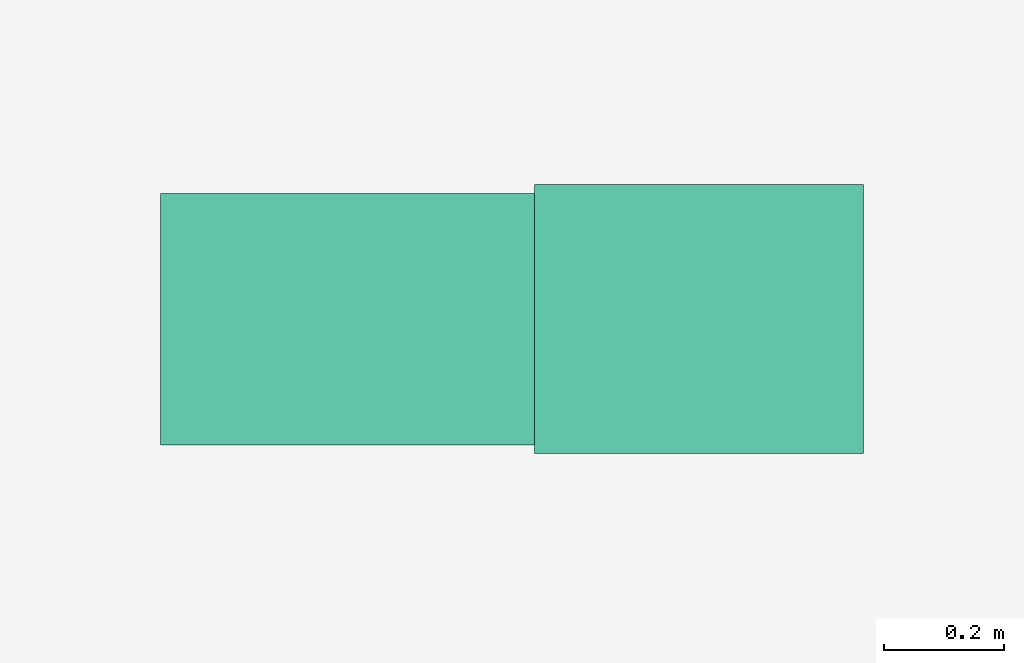
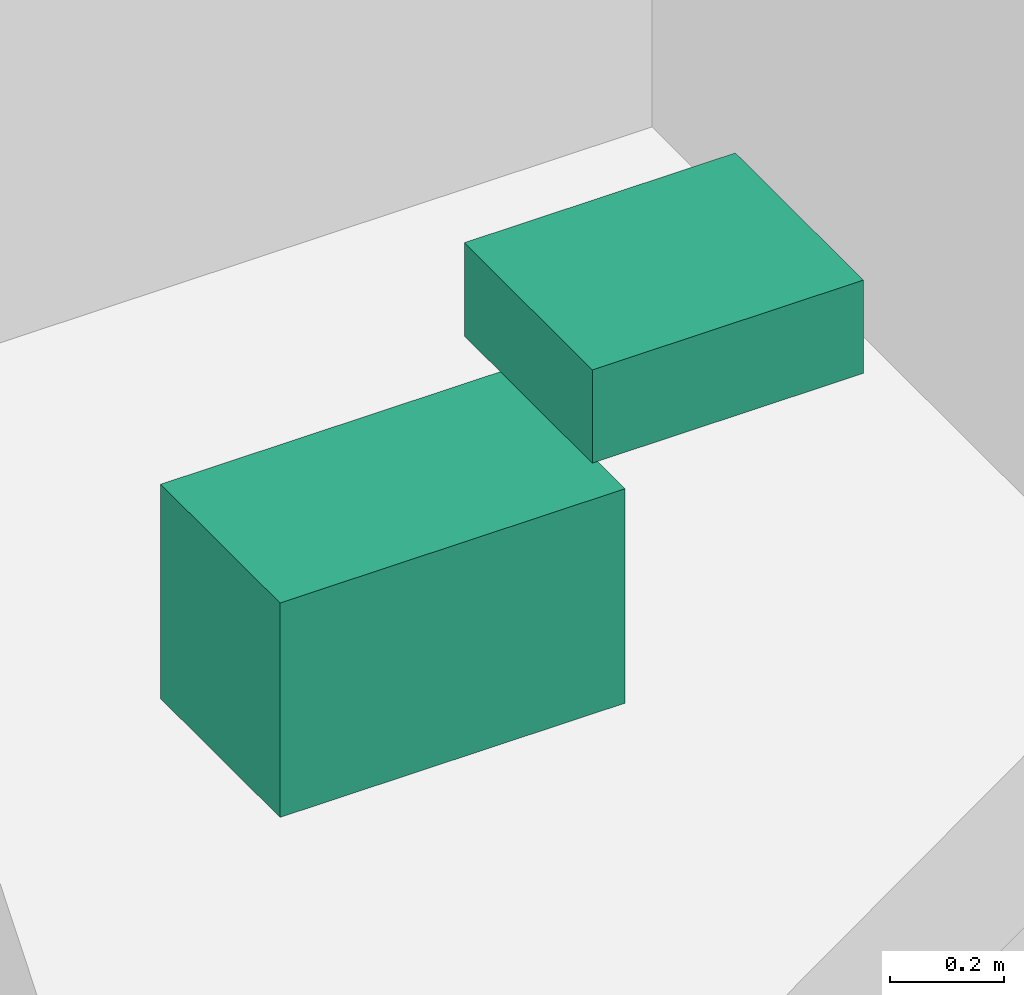
# One storey, part 12 of 12: 2 sanitary terminals.
"""IFC4 building model written with IfcOpenShell, lengths in metres."""

from ifc_helpers import new_model, si_unit, direction, frame, origin, origin_2d, place, context, subcontext, project, spatial, rectangle, extrude, material, type_object, element, save


model = new_model("IFC4")

# Units and contexts
model_context = context("Model", 3, precision=1e-05, world=origin(), true_north=direction((0.0, 1.0)))
body_context = subcontext(model_context, "Body", "Model", "MODEL_VIEW")
ifc_project = project(units=[si_unit("LENGTHUNIT", "METRE"), si_unit("AREAUNIT", "SQUARE_METRE"), si_unit("VOLUMEUNIT", "CUBIC_METRE"), si_unit("PLANEANGLEUNIT", "RADIAN"), si_unit("MASSUNIT", "GRAM", prefix="KILO")], contexts=[model_context])

# Site, building, storey
site_placement = place(None, origin())
site = spatial("IfcSite", under=ifc_project, at=site_placement, CompositionType="ELEMENT")
building_placement = place(site_placement, origin())
building = spatial("IfcBuilding", under=site, at=building_placement, Name="Surkhivell Harbour Commons", CompositionType="ELEMENT")
storey_placement = place(building_placement, frame((0.0, 0.0, 166.5)))
storey = spatial("IfcBuildingStorey", under=building, at=storey_placement, Name="L43", CompositionType="ELEMENT", Elevation=166.5)

# Sanitary terminals
ifc_material_1 = material(Name="Vitreous china washbasin", Category="other")
sanitary_terminal_type_1 = type_object("IfcSanitaryTerminalType", Name="SAN-BSN", PredefinedType="WASHHANDBASIN", material=ifc_material_1)
sanitary_terminal_1_placement = place(storey_placement, frame((1.89990234375, 2.89990234375, 0.72021484375), z_axis=(0.0, 0.0, 1.0), x_axis=(1.0, 0.0, 0.0)))
element("IfcSanitaryTerminal", 1, at=sanitary_terminal_1_placement, inside=storey, type_object=sanitary_terminal_type_1, Name="L43 Core Accessible WC Washbasin", PredefinedType="WASHHANDBASIN", context=body_context, shape_type="SweptSolid", body=[
    extrude(rectangle(XDim=0.550048828125, YDim=0.449951171875, at=origin_2d()), origin(), (0.0, 0.0, 1.0), 0.199951171875),
])
ifc_material_2 = material(Name="Vitreous china sanitaryware", Category="other")
sanitary_terminal_type_2 = type_object("IfcSanitaryTerminalType", Name="SAN-WC-ACC", PredefinedType="TOILETPAN", material=ifc_material_2)
sanitary_terminal_2_placement = place(storey_placement, frame((1.35009765625, 2.89990234375, 0.169921875), z_axis=(0.0, 0.0, 1.0), x_axis=(1.0, 0.0, 0.0)))
element("IfcSanitaryTerminal", 2, at=sanitary_terminal_2_placement, inside=storey, type_object=sanitary_terminal_type_2, Name="L43 Core Accessible WC", PredefinedType="TOILETPAN", context=body_context, shape_type="SweptSolid", body=[
    extrude(rectangle(XDim=0.699951171875, YDim=0.419921875, at=origin_2d()), origin(), (0.0, 0.0, 1.0), 0.4599609375),
])

save(model, "model.ifc")
